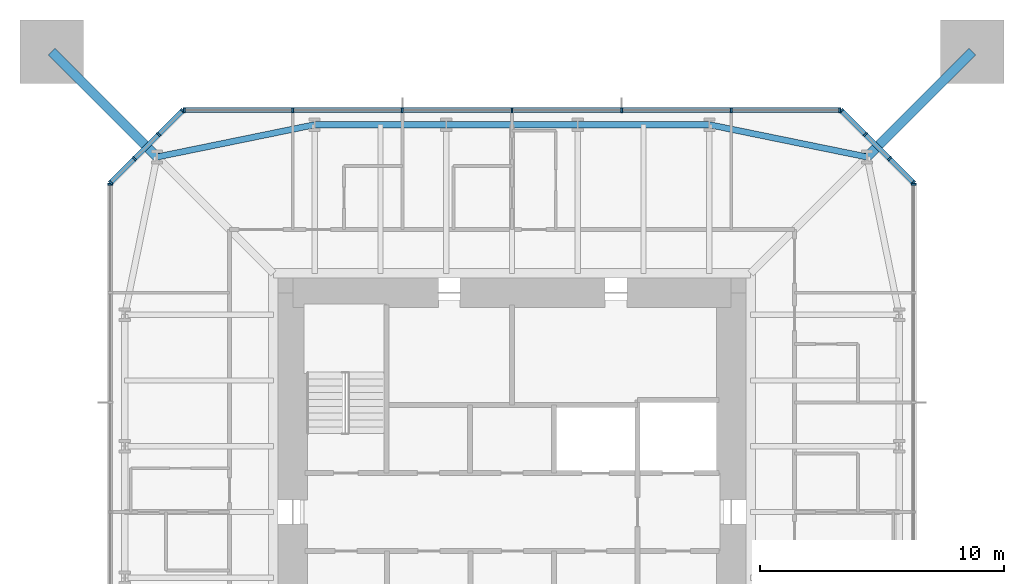
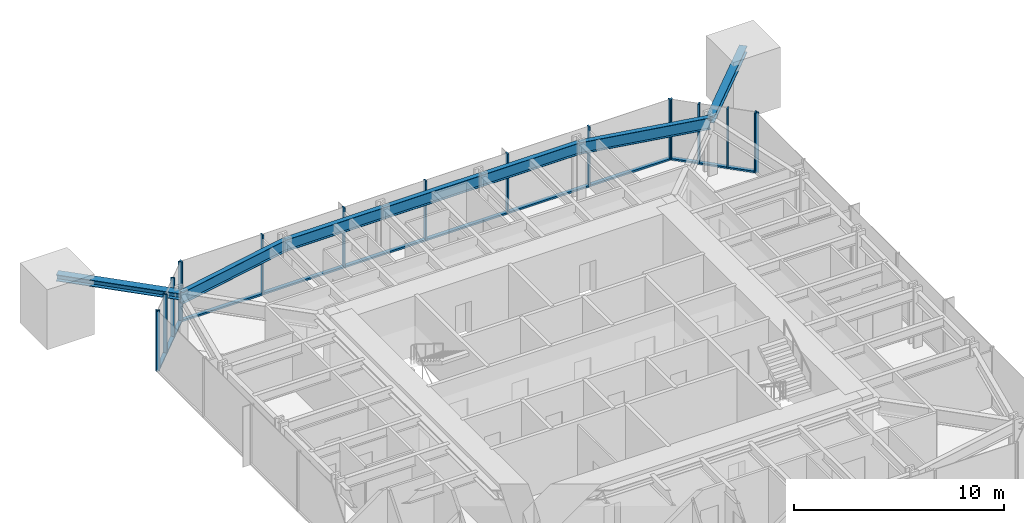
# One storey, part 4 of 9: 31 members, 5 beams, 5 elements without a shape of their own.
"""IFC4 building model written with IfcOpenShell, lengths in metres."""

from ifc_helpers import new_model, si_unit, direction, frame, origin, origin_2d, place, context, subcontext, project, spatial, rectangle, i_section, extrude, material, material_profile, profile_set, type_object, element, aggregate, save


model = new_model("IFC4")

# Units and contexts
model_context = context("Model", 3, precision=1e-05, world=origin(), true_north=direction((0.0, 1.0)))
body_context = subcontext(model_context, "Body", "Model", "MODEL_VIEW")
ifc_project = project(units=[si_unit("LENGTHUNIT", "METRE"), si_unit("AREAUNIT", "SQUARE_METRE"), si_unit("VOLUMEUNIT", "CUBIC_METRE"), si_unit("PLANEANGLEUNIT", "RADIAN"), si_unit("MASSUNIT", "GRAM", prefix="KILO")], contexts=[model_context])

# Site, building, storey
site_placement = place(None, origin())
site = spatial("IfcSite", under=ifc_project, at=site_placement, CompositionType="ELEMENT")
building_placement = place(site_placement, origin())
building = spatial("IfcBuilding", under=site, at=building_placement, Name="Iwan Alto Co-Living Towers", CompositionType="ELEMENT")
storey_placement = place(building_placement, frame((0.0, 0.0, 236.0)))
storey = spatial("IfcBuildingStorey", under=building, at=storey_placement, Name="L64", CompositionType="ELEMENT", Elevation=236.0)

# Curtain wall, member
ifc_material_1 = material(Name="Bronze aluminium unitised frame", Category="aluminium")
curtain_wall_type_1 = type_object("IfcCurtainWallType", Name="CURTAIN WALL CW-A", PredefinedType="NOTDEFINED", material=ifc_material_1)
curtain_wall_1_placement = place(storey_placement, origin())
curtain_wall_1 = element("IfcCurtainWall", 1, at=curtain_wall_1_placement, inside=storey, type_object=curtain_wall_type_1, Name="T1 curtain wall E L64", PredefinedType="NOTDEFINED")
ifc_material_2 = material(Name="Aluminium 6063-T6 bronze anodised", Category="aluminium")
ifc_material_profile_1 = material_profile(ifc_material_2, rectangle(XDim=0.199951171875, YDim=0.080078125, at=origin_2d()), Name="AL 80X200")
ifc_profile_set_1 = profile_set([ifc_material_profile_1], Name="Aluminium 6063-T6 bronze anodised")
member_type_1 = type_object("IfcMemberType", Name="CW-A MULLION 80X200", PredefinedType="MULLION", material=ifc_profile_set_1)
member_1_placement = place(storey_placement, frame((16.5, 13.4599609375, 0.0), z_axis=(0.0, 0.0, 1.0), x_axis=(-1.0, 0.0, 0.0)))
member_1 = element("IfcMember", 2, at=member_1_placement, type_object=member_type_1, Name="CW-A mullion 7", PredefinedType="MULLION", context=body_context, shape_type="SweptSolid", body=[
    extrude(rectangle(XDim=0.199951171875, YDim=0.080078125, at=origin_2d()), origin(), (0.0, 0.0, 1.0), 3.5),
])
aggregate(curtain_wall_1, [member_1])

# Curtain wall, members
curtain_wall_2_placement = place(storey_placement, origin())
curtain_wall_2 = element("IfcCurtainWall", 3, at=curtain_wall_2_placement, inside=storey, type_object=curtain_wall_type_1, Name="T1 curtain wall N L64", PredefinedType="NOTDEFINED")
member_2_placement = place(storey_placement, frame((13.4599609375, 16.5, 0.0), z_axis=(0.0, 0.0, 1.0), x_axis=(0.0, -1.0, 0.0)))
member_2 = element("IfcMember", 4, at=member_2_placement, type_object=member_type_1, Name="CW-A mullion 1", PredefinedType="MULLION", context=body_context, shape_type="SweptSolid", body=[
    extrude(rectangle(XDim=0.199951171875, YDim=0.080078125, at=origin_2d()), origin(), (0.0, 0.0, 1.0), 3.5),
])
member_3_placement = place(storey_placement, frame((9.0, 16.5, 0.0), z_axis=(0.0, 0.0, 1.0), x_axis=(0.0, -1.0, 0.0)))
member_3 = element("IfcMember", 5, at=member_3_placement, type_object=member_type_1, Name="CW-A mullion 2", PredefinedType="MULLION", context=body_context, shape_type="SweptSolid", body=[
    extrude(rectangle(XDim=0.199951171875, YDim=0.080078125, at=origin_2d()), origin(), (0.0, 0.0, 1.0), 3.5),
])
member_4_placement = place(storey_placement, frame((4.5, 16.5, 0.0), z_axis=(0.0, 0.0, 1.0), x_axis=(0.0, -1.0, 0.0)))
member_4 = element("IfcMember", 6, at=member_4_placement, type_object=member_type_1, Name="CW-A mullion 3", PredefinedType="MULLION", context=body_context, shape_type="SweptSolid", body=[
    extrude(rectangle(XDim=0.199951171875, YDim=0.080078125, at=origin_2d()), origin(), (0.0, 0.0, 1.0), 3.5),
])
member_5_placement = place(storey_placement, frame((0.0, 16.5, 0.0), z_axis=(0.0, 0.0, 1.0), x_axis=(0.0, -1.0, 0.0)))
member_5 = element("IfcMember", 7, at=member_5_placement, type_object=member_type_1, Name="CW-A mullion 4", PredefinedType="MULLION", context=body_context, shape_type="SweptSolid", body=[
    extrude(rectangle(XDim=0.199951171875, YDim=0.080078125, at=origin_2d()), origin(), (0.0, 0.0, 1.0), 3.5),
])
member_6_placement = place(storey_placement, frame((-4.5, 16.5, 0.0), z_axis=(0.0, 0.0, 1.0), x_axis=(0.0, -1.0, 0.0)))
member_6 = element("IfcMember", 8, at=member_6_placement, type_object=member_type_1, Name="CW-A mullion 5", PredefinedType="MULLION", context=body_context, shape_type="SweptSolid", body=[
    extrude(rectangle(XDim=0.199951171875, YDim=0.080078125, at=origin_2d()), origin(), (0.0, 0.0, 1.0), 3.5),
])
member_7_placement = place(storey_placement, frame((-9.0, 16.5, 0.0), z_axis=(0.0, 0.0, 1.0), x_axis=(0.0, -1.0, 0.0)))
member_7 = element("IfcMember", 9, at=member_7_placement, type_object=member_type_1, Name="CW-A mullion 6", PredefinedType="MULLION", context=body_context, shape_type="SweptSolid", body=[
    extrude(rectangle(XDim=0.199951171875, YDim=0.080078125, at=origin_2d()), origin(), (0.0, 0.0, 1.0), 3.5),
])
member_8_placement = place(storey_placement, frame((-13.4599609375, 16.5, 0.0), z_axis=(0.0, 0.0, 1.0), x_axis=(0.0, -1.0, 0.0)))
member_8 = element("IfcMember", 10, at=member_8_placement, type_object=member_type_1, Name="CW-A mullion 7", PredefinedType="MULLION", context=body_context, shape_type="SweptSolid", body=[
    extrude(rectangle(XDim=0.199951171875, YDim=0.080078125, at=origin_2d()), origin(), (0.0, 0.0, 1.0), 3.5),
])

# Curtain wall, member
curtain_wall_3_placement = place(storey_placement, origin())
curtain_wall_3 = element("IfcCurtainWall", 11, at=curtain_wall_3_placement, inside=storey, type_object=curtain_wall_type_1, Name="T1 curtain wall W L64", PredefinedType="NOTDEFINED")
member_9_placement = place(storey_placement, frame((-16.5, 13.4599609375, 0.0), z_axis=(0.0, 0.0, 1.0), x_axis=(1.0, 0.0, 0.0)))
member_9 = element("IfcMember", 12, at=member_9_placement, type_object=member_type_1, Name="CW-A mullion 1", PredefinedType="MULLION", context=body_context, shape_type="SweptSolid", body=[
    extrude(rectangle(XDim=0.199951171875, YDim=0.080078125, at=origin_2d()), origin(), (0.0, 0.0, 1.0), 3.5),
])
aggregate(curtain_wall_3, [member_9])

# Member
ifc_material_3 = material(Name="Aluminium 6063-T6 bronze anodised", Category="aluminium")
ifc_material_profile_2 = material_profile(ifc_material_3, rectangle(XDim=0.199951171875, YDim=0.10009765625, at=origin_2d()), Name="AL 200X100")
ifc_profile_set_2 = profile_set([ifc_material_profile_2], Name="Aluminium 6063-T6 bronze anodised")
member_type_2 = type_object("IfcMemberType", Name="CW-A TRANSOM 200X100", PredefinedType="USERDEFINED", material=ifc_profile_set_2)
member_10_placement = place(storey_placement, frame((13.419921875, 16.5, 0.050048828125), z_axis=(-1.0, 0.0, 0.0), x_axis=(0.0, -1.0, 0.0)))
member_10 = element("IfcMember", 13, at=member_10_placement, type_object=member_type_2, Name="CW-A transom 1.1", ObjectType="TRANSOM", PredefinedType="USERDEFINED", context=body_context, shape_type="SweptSolid", body=[
    extrude(rectangle(XDim=0.199951171875, YDim=0.10009765625, at=origin_2d()), origin(), (0.0, 0.0, 1.0), 4.3798828125),
])

member_11_placement = place(storey_placement, frame((8.9599609375, 16.5, 0.050048828125), z_axis=(-1.0, 0.0, 0.0), x_axis=(0.0, -1.0, 0.0)))
member_11 = element("IfcMember", 14, at=member_11_placement, type_object=member_type_2, Name="CW-A transom 2.1", ObjectType="TRANSOM", PredefinedType="USERDEFINED", context=body_context, shape_type="SweptSolid", body=[
    extrude(rectangle(XDim=0.199951171875, YDim=0.10009765625, at=origin_2d()), origin(), (0.0, 0.0, 1.0), 4.419921875),
])

member_12_placement = place(storey_placement, frame((4.4599609375, 16.5, 0.050048828125), z_axis=(-1.0, 0.0, 0.0), x_axis=(0.0, -1.0, 0.0)))
member_12 = element("IfcMember", 15, at=member_12_placement, type_object=member_type_2, Name="CW-A transom 3.1", ObjectType="TRANSOM", PredefinedType="USERDEFINED", context=body_context, shape_type="SweptSolid", body=[
    extrude(rectangle(XDim=0.199951171875, YDim=0.10009765625, at=origin_2d()), origin(), (0.0, 0.0, 1.0), 4.419921875),
])

member_13_placement = place(storey_placement, frame((-0.0400390625, 16.5, 0.050048828125), z_axis=(-1.0, 0.0, 0.0), x_axis=(0.0, -1.0, 0.0)))
member_13 = element("IfcMember", 16, at=member_13_placement, type_object=member_type_2, Name="CW-A transom 4.1", ObjectType="TRANSOM", PredefinedType="USERDEFINED", context=body_context, shape_type="SweptSolid", body=[
    extrude(rectangle(XDim=0.199951171875, YDim=0.10009765625, at=origin_2d()), origin(), (0.0, 0.0, 1.0), 4.419921875),
])

member_14_placement = place(storey_placement, frame((-4.5400390625, 16.5, 0.050048828125), z_axis=(-1.0, 0.0, 0.0), x_axis=(0.0, -1.0, 0.0)))
member_14 = element("IfcMember", 17, at=member_14_placement, type_object=member_type_2, Name="CW-A transom 5.1", ObjectType="TRANSOM", PredefinedType="USERDEFINED", context=body_context, shape_type="SweptSolid", body=[
    extrude(rectangle(XDim=0.199951171875, YDim=0.10009765625, at=origin_2d()), origin(), (0.0, 0.0, 1.0), 4.419921875),
])

member_15_placement = place(storey_placement, frame((-9.0400390625, 16.5, 0.050048828125), z_axis=(-1.0, 0.0, 0.0), x_axis=(0.0, -1.0, 0.0)))
member_15 = element("IfcMember", 18, at=member_15_placement, type_object=member_type_2, Name="CW-A transom 6.1", ObjectType="TRANSOM", PredefinedType="USERDEFINED", context=body_context, shape_type="SweptSolid", body=[
    extrude(rectangle(XDim=0.199951171875, YDim=0.10009765625, at=origin_2d()), origin(), (0.0, 0.0, 1.0), 4.3798828125),
])

aggregate(curtain_wall_2, [member_2, member_3, member_4, member_5, member_6, member_7, member_8, member_10, member_11, member_12, member_13, member_14, member_15])

# Curtain wall, members
ifc_material_4 = material(Name="Bronze aluminium unitised frame", Category="aluminium")
curtain_wall_type_2 = type_object("IfcCurtainWallType", Name="CURTAIN WALL CW-B", PredefinedType="NOTDEFINED", material=ifc_material_4)
curtain_wall_4_placement = place(storey_placement, origin())
curtain_wall_4 = element("IfcCurtainWall", 19, at=curtain_wall_4_placement, inside=storey, type_object=curtain_wall_type_2, Name="T1 chamfer curtain wall NE L64", PredefinedType="NOTDEFINED")
ifc_material_5 = material(Name="Aluminium 6063-T6 bronze anodised", Category="aluminium")
ifc_material_profile_3 = material_profile(ifc_material_5, rectangle(XDim=0.199951171875, YDim=0.080078125, at=origin_2d()), Name="AL 80X200")
ifc_profile_set_3 = profile_set([ifc_material_profile_3], Name="Aluminium 6063-T6 bronze anodised")
member_type_3 = type_object("IfcMemberType", Name="CW-B MULLION 80X200", PredefinedType="MULLION", material=ifc_profile_set_3)
member_16_placement = place(storey_placement, frame((16.4716796875, 13.5283203125, 0.0), z_axis=(0.0, 0.0, 1.0), x_axis=(-0.707106781187, -0.707106781187, 0.0)))
member_16 = element("IfcMember", 20, at=member_16_placement, type_object=member_type_3, Name="CW-B mullion 1", PredefinedType="MULLION", context=body_context, shape_type="SweptSolid", body=[
    extrude(rectangle(XDim=0.199951171875, YDim=0.080078125, at=origin_2d()), origin(), (0.0, 0.0, 1.0), 3.5),
])
member_17_placement = place(storey_placement, frame((15.5, 14.5, 0.0), z_axis=(0.0, 0.0, 1.0), x_axis=(-0.707106781187, -0.707106781187, 0.0)))
member_17 = element("IfcMember", 21, at=member_17_placement, type_object=member_type_3, Name="CW-B mullion 2", PredefinedType="MULLION", context=body_context, shape_type="SweptSolid", body=[
    extrude(rectangle(XDim=0.199951171875, YDim=0.080078125, at=origin_2d()), origin(), (0.0, 0.0, 1.0), 3.5),
])
member_18_placement = place(storey_placement, frame((14.5, 15.5, 0.0), z_axis=(0.0, 0.0, 1.0), x_axis=(-0.707106781187, -0.707106781187, 0.0)))
member_18 = element("IfcMember", 22, at=member_18_placement, type_object=member_type_3, Name="CW-B mullion 3", PredefinedType="MULLION", context=body_context, shape_type="SweptSolid", body=[
    extrude(rectangle(XDim=0.199951171875, YDim=0.080078125, at=origin_2d()), origin(), (0.0, 0.0, 1.0), 3.5),
])
member_19_placement = place(storey_placement, frame((13.5283203125, 16.4716796875, 0.0), z_axis=(0.0, 0.0, 1.0), x_axis=(-0.707106781187, -0.707106781187, 0.0)))
member_19 = element("IfcMember", 23, at=member_19_placement, type_object=member_type_3, Name="CW-B mullion 4", PredefinedType="MULLION", context=body_context, shape_type="SweptSolid", body=[
    extrude(rectangle(XDim=0.199951171875, YDim=0.080078125, at=origin_2d()), origin(), (0.0, 0.0, 1.0), 3.5),
])

curtain_wall_5_placement = place(storey_placement, origin())
curtain_wall_5 = element("IfcCurtainWall", 24, at=curtain_wall_5_placement, inside=storey, type_object=curtain_wall_type_2, Name="T1 chamfer curtain wall NW L64", PredefinedType="NOTDEFINED")
member_20_placement = place(storey_placement, frame((-13.5283203125, 16.4716796875, 0.0), z_axis=(0.0, 0.0, 1.0), x_axis=(0.707106781187, -0.707106781187, 0.0)))
member_20 = element("IfcMember", 25, at=member_20_placement, type_object=member_type_3, Name="CW-B mullion 1", PredefinedType="MULLION", context=body_context, shape_type="SweptSolid", body=[
    extrude(rectangle(XDim=0.199951171875, YDim=0.080078125, at=origin_2d()), origin(), (0.0, 0.0, 1.0), 3.5),
])
member_21_placement = place(storey_placement, frame((-14.5, 15.5, 0.0), z_axis=(0.0, 0.0, 1.0), x_axis=(0.707106781187, -0.707106781187, 0.0)))
member_21 = element("IfcMember", 26, at=member_21_placement, type_object=member_type_3, Name="CW-B mullion 2", PredefinedType="MULLION", context=body_context, shape_type="SweptSolid", body=[
    extrude(rectangle(XDim=0.199951171875, YDim=0.080078125, at=origin_2d()), origin(), (0.0, 0.0, 1.0), 3.5),
])
member_22_placement = place(storey_placement, frame((-15.5, 14.5, 0.0), z_axis=(0.0, 0.0, 1.0), x_axis=(0.707106781187, -0.707106781187, 0.0)))
member_22 = element("IfcMember", 27, at=member_22_placement, type_object=member_type_3, Name="CW-B mullion 3", PredefinedType="MULLION", context=body_context, shape_type="SweptSolid", body=[
    extrude(rectangle(XDim=0.199951171875, YDim=0.080078125, at=origin_2d()), origin(), (0.0, 0.0, 1.0), 3.5),
])
member_23_placement = place(storey_placement, frame((-16.4716796875, 13.5283203125, 0.0), z_axis=(0.0, 0.0, 1.0), x_axis=(0.707106781187, -0.707106781187, 0.0)))
member_23 = element("IfcMember", 28, at=member_23_placement, type_object=member_type_3, Name="CW-B mullion 4", PredefinedType="MULLION", context=body_context, shape_type="SweptSolid", body=[
    extrude(rectangle(XDim=0.199951171875, YDim=0.080078125, at=origin_2d()), origin(), (0.0, 0.0, 1.0), 3.5),
])

# Member
ifc_material_6 = material(Name="Aluminium 6063-T6 bronze anodised", Category="aluminium")
ifc_material_profile_4 = material_profile(ifc_material_6, rectangle(XDim=0.199951171875, YDim=0.10009765625, at=origin_2d()), Name="AL 200X100")
ifc_profile_set_4 = profile_set([ifc_material_profile_4], Name="Aluminium 6063-T6 bronze anodised")
member_type_4 = type_object("IfcMemberType", Name="CW-B TRANSOM 200X100", PredefinedType="USERDEFINED", material=ifc_profile_set_4)
member_24_placement = place(storey_placement, frame((16.443359375, 13.556640625, 0.050048828125), z_axis=(-0.707106781187, 0.707106781187, 0.0), x_axis=(-0.707106781187, -0.707106781187, 0.0)))
member_24 = element("IfcMember", 29, at=member_24_placement, type_object=member_type_4, Name="CW-B transom 1.1", ObjectType="TRANSOM", PredefinedType="USERDEFINED", context=body_context, shape_type="SweptSolid", body=[
    extrude(rectangle(XDim=0.199951171875, YDim=0.10009765625, at=origin_2d()), origin(), (0.0, 0.0, 1.0), 1.2939453125),
])

member_25_placement = place(storey_placement, frame((15.4716796875, 14.5283203125, 0.050048828125), z_axis=(-0.707106781187, 0.707106781187, 0.0), x_axis=(-0.707106781187, -0.707106781187, 0.0)))
member_25 = element("IfcMember", 30, at=member_25_placement, type_object=member_type_4, Name="CW-B transom 2.1", ObjectType="TRANSOM", PredefinedType="USERDEFINED", context=body_context, shape_type="SweptSolid", body=[
    extrude(rectangle(XDim=0.199951171875, YDim=0.10009765625, at=origin_2d()), origin(), (0.0, 0.0, 1.0), 1.334228515625),
])

member_26_placement = place(storey_placement, frame((14.4716796875, 15.5283203125, 0.050048828125), z_axis=(-0.707106781187, 0.707106781187, 0.0), x_axis=(-0.707106781187, -0.707106781187, 0.0)))
member_26 = element("IfcMember", 31, at=member_26_placement, type_object=member_type_4, Name="CW-B transom 3.1", ObjectType="TRANSOM", PredefinedType="USERDEFINED", context=body_context, shape_type="SweptSolid", body=[
    extrude(rectangle(XDim=0.199951171875, YDim=0.10009765625, at=origin_2d()), origin(), (0.0, 0.0, 1.0), 1.2939453125),
])

aggregate(curtain_wall_4, [member_16, member_17, member_18, member_19, member_24, member_25, member_26])

member_27_placement = place(storey_placement, frame((-13.556640625, 16.443359375, 0.050048828125), z_axis=(-0.707106781187, -0.707106781187, 0.0), x_axis=(0.707106781187, -0.707106781187, 0.0)))
member_27 = element("IfcMember", 32, at=member_27_placement, type_object=member_type_4, Name="CW-B transom 1.1", ObjectType="TRANSOM", PredefinedType="USERDEFINED", context=body_context, shape_type="SweptSolid", body=[
    extrude(rectangle(XDim=0.199951171875, YDim=0.10009765625, at=origin_2d()), origin(), (0.0, 0.0, 1.0), 1.2939453125),
])

member_28_placement = place(storey_placement, frame((-14.5283203125, 15.4716796875, 0.050048828125), z_axis=(-0.707106781187, -0.707106781187, 0.0), x_axis=(0.707106781187, -0.707106781187, 0.0)))
member_28 = element("IfcMember", 33, at=member_28_placement, type_object=member_type_4, Name="CW-B transom 2.1", ObjectType="TRANSOM", PredefinedType="USERDEFINED", context=body_context, shape_type="SweptSolid", body=[
    extrude(rectangle(XDim=0.199951171875, YDim=0.10009765625, at=origin_2d()), origin(), (0.0, 0.0, 1.0), 1.334228515625),
])

member_29_placement = place(storey_placement, frame((-15.5283203125, 14.4716796875, 0.050048828125), z_axis=(-0.707106781187, -0.707106781187, 0.0), x_axis=(0.707106781187, -0.707106781187, 0.0)))
member_29 = element("IfcMember", 34, at=member_29_placement, type_object=member_type_4, Name="CW-B transom 3.1", ObjectType="TRANSOM", PredefinedType="USERDEFINED", context=body_context, shape_type="SweptSolid", body=[
    extrude(rectangle(XDim=0.199951171875, YDim=0.10009765625, at=origin_2d()), origin(), (0.0, 0.0, 1.0), 1.2939453125),
])

aggregate(curtain_wall_5, [member_20, member_21, member_22, member_23, member_27, member_28, member_29])

# Beams
ifc_material_7 = material(Name="Steel ASTM A992 Gr 50", Category="steel")
ifc_material_profile_5 = material_profile(ifc_material_7, i_section(OverallWidth=0.25390625, OverallDepth=0.683349609375, WebThickness=0.012451171875, FlangeThickness=0.018798828125, at=origin_2d()), Name="W27X94")
ifc_profile_set_5 = profile_set([ifc_material_profile_5], Name="Steel ASTM A992 Gr 50")
beam_type = type_object("IfcBeamType", Name="T1 EDGE BEAM W27X94", PredefinedType="BEAM", material=ifc_profile_set_5)
beam_1_placement = place(storey_placement, frame((14.57568359375, 14.57568359375, 2.928466796875), z_axis=(-0.979724820103, 0.200347889618, 0.0), x_axis=(-0.200347889618, -0.979724820103, 0.0)))
element("IfcBeam", 35, at=beam_1_placement, inside=storey, type_object=beam_type, Name="T1 edge beam CNE L65", PredefinedType="BEAM", context=body_context, shape_type="SweptSolid", body=[
    extrude(i_section(OverallWidth=0.25390625, OverallDepth=0.683349609375, WebThickness=0.012451171875, FlangeThickness=0.018798828125, at=origin_2d()), origin(), (0.0, 0.0, 1.0), 6.609619140625),
])
beam_2_placement = place(storey_placement, frame((8.10009765625, 15.89990234375, 2.928466796875), z_axis=(-1.0, 0.0, 0.0), x_axis=(0.0, -1.0, 0.0)))
element("IfcBeam", 36, at=beam_2_placement, inside=storey, type_object=beam_type, Name="T1 edge beam N1 L65", PredefinedType="BEAM", context=body_context, shape_type="SweptSolid", body=[
    extrude(i_section(OverallWidth=0.25390625, OverallDepth=0.683349609375, WebThickness=0.012451171875, FlangeThickness=0.018798828125, at=origin_2d()), origin(), (0.0, 0.0, 1.0), 5.400146484375),
])
beam_3_placement = place(storey_placement, frame((2.699951171875, 15.89990234375, 2.928466796875), z_axis=(-1.0, 0.0, 0.0), x_axis=(0.0, -1.0, 0.0)))
element("IfcBeam", 37, at=beam_3_placement, inside=storey, type_object=beam_type, Name="T1 edge beam N2 L65", PredefinedType="BEAM", context=body_context, shape_type="SweptSolid", body=[
    extrude(i_section(OverallWidth=0.25390625, OverallDepth=0.683349609375, WebThickness=0.012451171875, FlangeThickness=0.018798828125, at=origin_2d()), origin(), (0.0, 0.0, 1.0), 5.39990234375),
])
beam_4_placement = place(storey_placement, frame((-2.699951171875, 15.89990234375, 2.928466796875), z_axis=(-1.0, 0.0, 0.0), x_axis=(0.0, -1.0, 0.0)))
element("IfcBeam", 38, at=beam_4_placement, inside=storey, type_object=beam_type, Name="T1 edge beam N3 L65", PredefinedType="BEAM", context=body_context, shape_type="SweptSolid", body=[
    extrude(i_section(OverallWidth=0.25390625, OverallDepth=0.683349609375, WebThickness=0.012451171875, FlangeThickness=0.018798828125, at=origin_2d()), origin(), (0.0, 0.0, 1.0), 5.400146484375),
])
beam_5_placement = place(storey_placement, frame((-8.10009765625, 15.89990234375, 2.928466796875), z_axis=(-0.979724820103, -0.200347889618, 0.0), x_axis=(0.200347889618, -0.979724820103, 0.0)))
element("IfcBeam", 39, at=beam_5_placement, inside=storey, type_object=beam_type, Name="T1 edge beam N4 L65", PredefinedType="BEAM", context=body_context, shape_type="SweptSolid", body=[
    extrude(i_section(OverallWidth=0.25390625, OverallDepth=0.683349609375, WebThickness=0.012451171875, FlangeThickness=0.018798828125, at=origin_2d()), origin(), (0.0, 0.0, 1.0), 6.609619140625),
])

# Members
ifc_material_8 = material(Name="Steel ASTM A992 Gr 50", Category="steel")
ifc_material_profile_6 = material_profile(ifc_material_8, i_section(OverallWidth=0.393798828125, OverallDepth=0.3759765625, WebThickness=0.017333984375, FlangeThickness=0.027587890625, at=origin_2d()), Name="W14X145")
ifc_profile_set_6 = profile_set([ifc_material_profile_6], Name="Steel ASTM A992 Gr 50")
member_type_5 = type_object("IfcMemberType", Name="T1 MEGA COLUMN FLOOR TIE W14X145", PredefinedType="STRUT", material=ifc_profile_set_6)
for number, where, z_axis, x_axis, name in (
    (40, (18.89990234375, 18.89990234375, 3.08203125), (-0.707106781187, -0.707106781187, 0.0), (0.707106781187, -0.707106781187, 0.0), "T1 mega column floor tie NE L65"),
    (41, (-18.89990234375, 18.89990234375, 3.08203125), (0.707106781187, -0.707106781187, 0.0), (0.707106781187, 0.707106781187, 0.0), "T1 mega column floor tie NW L65"),
):
    element("IfcMember", number, at=place(storey_placement, frame(where, z_axis=z_axis, x_axis=x_axis)), inside=storey, type_object=member_type_5, Name=name, PredefinedType="STRUT", context=body_context, shape_type="SweptSolid", body=[
        extrude(i_section(OverallWidth=0.393798828125, OverallDepth=0.3759765625, WebThickness=0.017333984375, FlangeThickness=0.027587890625, at=origin_2d()), origin(), (0.0, 0.0, 1.0), 6.115478515625),
    ])

save(model, "model.ifc")
